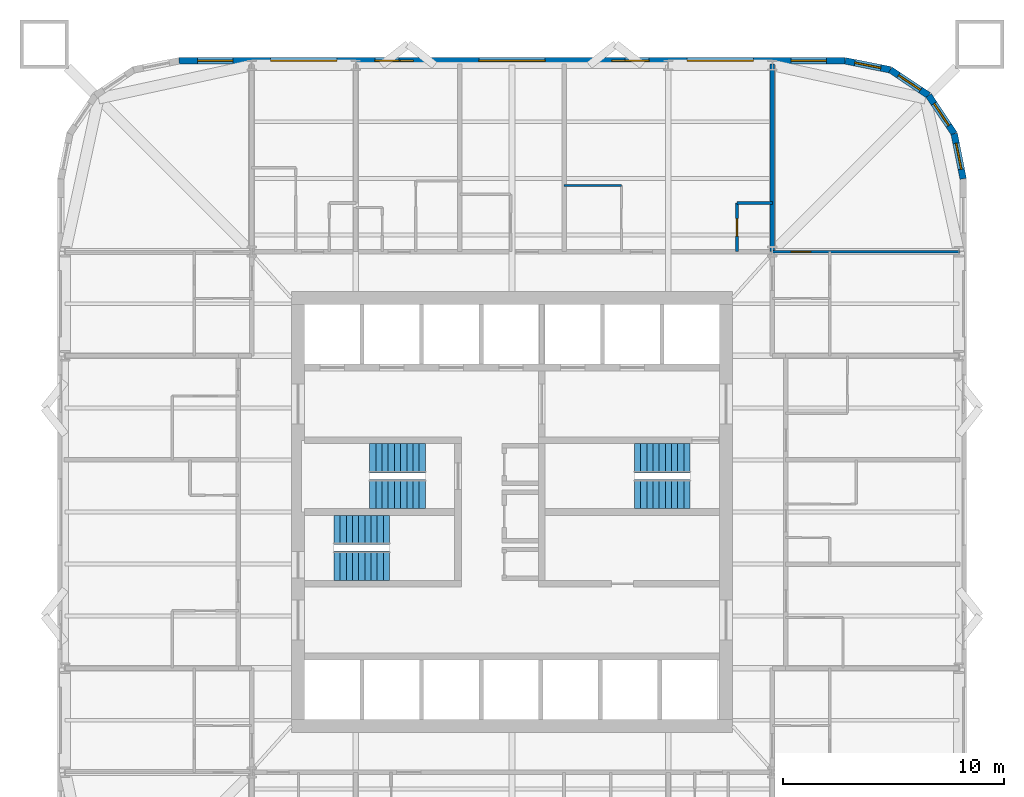
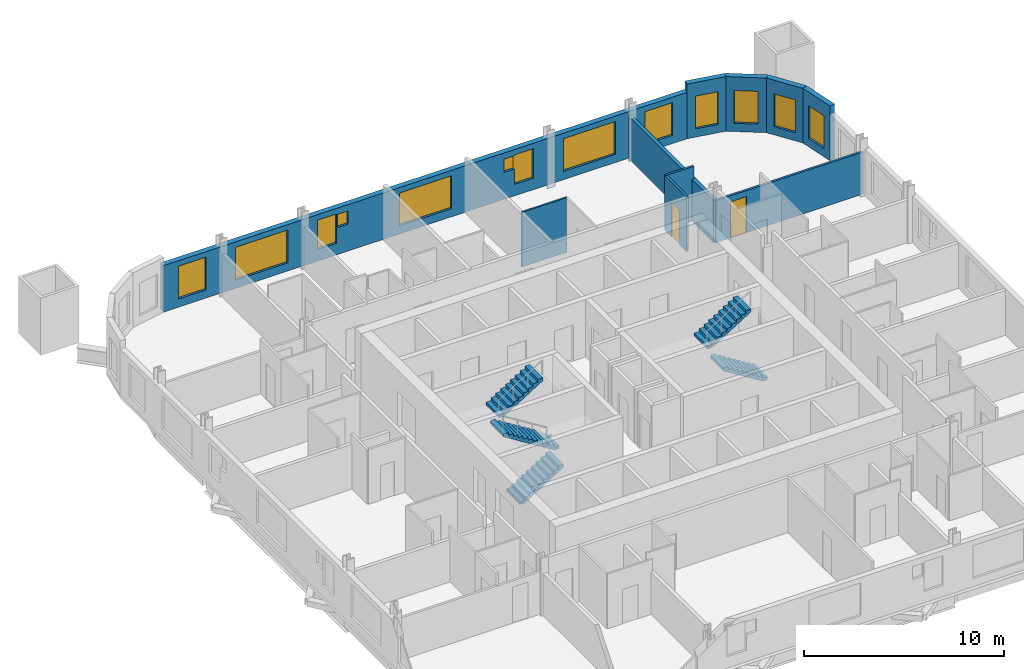
# One storey, part 8 of 9: 13 windows, 10 walls, 6 stair flights, 2 doors, 15 openings, 3 elements without a shape of their own.
"""IFC4 building model written with IfcOpenShell, lengths in metres."""

from ifc_helpers import new_model, si_unit, direction, frame, frame_2d, origin, place, context, subcontext, project, spatial, polyline, rectangle, outline, extrude, material, layer, layer_set, type_object, element, fill, aggregate, save


model = new_model("IFC4")

# Units and contexts
model_context = context("Model", 3, precision=1e-05, world=origin(), true_north=direction((0.0, 1.0)))
body_context = subcontext(model_context, "Body", "Model", "MODEL_VIEW")
ifc_project = project(units=[si_unit("LENGTHUNIT", "METRE"), si_unit("AREAUNIT", "SQUARE_METRE"), si_unit("VOLUMEUNIT", "CUBIC_METRE"), si_unit("PLANEANGLEUNIT", "RADIAN"), si_unit("MASSUNIT", "GRAM", prefix="KILO")], contexts=[model_context])

# Site, building, storey
site_placement = place(None, origin())
site = spatial("IfcSite", under=ifc_project, at=site_placement, CompositionType="ELEMENT")
building_placement = place(site_placement, origin())
building = spatial("IfcBuilding", under=site, at=building_placement, Name="Turquesa Mirador Hotel Tower", CompositionType="ELEMENT")
storey_placement = place(building_placement, frame((0.0, 0.0, 117.89990234375)))
storey = spatial("IfcBuildingStorey", under=building, at=storey_placement, Name="L31", CompositionType="ELEMENT", Elevation=117.89990234375)

# Wall
ifc_material_1 = material(Name="Gypsum board on steel studs", Category="steel")
ifc_layer_1 = layer(ifc_material_1, 0.10009765625)
ifc_layer_set_1 = layer_set([ifc_layer_1], Name="BATHROOM WALL 100")
wall_type_1 = type_object("IfcWallType", Name="BATHROOM WALL 100", PredefinedType="PARTITIONING", material=ifc_layer_set_1)
wall_1_placement = place(storey_placement, frame((57.360107421875, 59.800048828125, 0.0), z_axis=(0.0, 0.0, 1.0), x_axis=(1.0, 0.0, 0.0)))
element("IfcWall", 1, at=wall_1_placement, inside=storey, type_object=wall_type_1, Name="Partition L31 028", PredefinedType="PARTITIONING", context=body_context, shape_type="SweptSolid", body=[
    extrude(rectangle(XDim=2.599853515625, YDim=0.10009765625, at=frame_2d((1.2998046875, 0.0))), origin(), (0.0, 0.0, 1.0), 3.330078125),
])

# Wall, opening, window
ifc_material_2 = material(Name="Limestone cladding on concrete block", Category="masonry")
ifc_layer_2 = layer(ifc_material_2, 0.300048828125)
ifc_layer_set_2 = layer_set([ifc_layer_2], Name="FACADE WALL 300 STONE SCREEN")
wall_type_2 = type_object("IfcWallType", Name="FACADE WALL 300 STONE SCREEN", PredefinedType="SOLIDWALL", material=ifc_layer_set_2)
wall_2_placement = place(storey_placement, frame((75.449951171875, 60.10009765625, 0.0), z_axis=(0.0, 0.0, 1.0), x_axis=(-0.195081421501, 0.980787050784, 0.0)))
wall_2 = element("IfcWall", 2, at=wall_2_placement, inside=storey, type_object=wall_type_2, Name="Facade wall L31 05", PredefinedType="SOLIDWALL", context=body_context, shape_type="SweptSolid", body=[
    extrude(rectangle(XDim=2.08740234375, YDim=0.300048828125, at=frame_2d((1.043701171875, 0.0))), origin(), (0.0, 0.0, 1.0), 3.330078125),
])
opening_1_placement = place(wall_2_placement, frame((0.443603515625, 0.0, 0.5)))
opening_1 = element("IfcOpeningElement", 3, at=opening_1_placement, cuts=wall_2, Name="Opening WN4", PredefinedType="OPENING", context=body_context, shape_type="SweptSolid", body=[
    extrude(rectangle(XDim=1.199951171875, YDim=2.0, at=frame_2d((0.60009765625, 1.0))), frame((0.0, 0.159912109375, 0.0), z_axis=(0.0, -1.0, 0.0), x_axis=(1.0, 0.0, 0.0)), (0.0, 0.0, 1.0), 0.320068359375),
])
ifc_material_3 = material(Name="Ceramic-fritted laminated glass", Category="glass")
window_type_1 = type_object("IfcWindowType", Name="FRITTED CORNER WINDOW 1200X2000", PartitioningType="DOUBLE_PANEL_HORIZONTAL", PredefinedType="WINDOW", material=ifc_material_3)
window_1_placement = place(opening_1_placement, origin())
window_1 = element("IfcWindow", 4, at=window_1_placement, inside=storey, type_object=window_type_1, Name="Window L31", OverallHeight=2.0, OverallWidth=1.199951171875, PartitioningType="SINGLE_PANEL", PredefinedType="WINDOW", context=body_context, shape_type="SweptSolid", body=[
    extrude(rectangle(XDim=1.199951171875, YDim=2.0, at=frame_2d((0.60009765625, 1.0))), frame((0.0, 0.030029296875, 0.0), z_axis=(0.0, -1.0, 0.0), x_axis=(1.0, 0.0, 0.0)), (0.0, 0.0, 1.0), 0.06005859375),
])
fill(opening_1, window_1)

wall_3_placement = place(storey_placement, frame((75.042724609375, 62.1474609375, 0.0), z_axis=(0.0, 0.0, 1.0), x_axis=(-0.555563607591, 0.831474039234, 0.0)))
wall_3 = element("IfcWall", 5, at=wall_3_placement, inside=storey, type_object=wall_type_2, Name="Facade wall L31 06", PredefinedType="SOLIDWALL", context=body_context, shape_type="SweptSolid", body=[
    extrude(rectangle(XDim=2.08740234375, YDim=0.300048828125, at=frame_2d((1.043701171875, 0.0))), origin(), (0.0, 0.0, 1.0), 3.330078125),
])
opening_2_placement = place(wall_3_placement, frame((0.443603515625, 0.0, 0.5)))
opening_2 = element("IfcOpeningElement", 6, at=opening_2_placement, cuts=wall_3, Name="Opening WN4", PredefinedType="OPENING", context=body_context, shape_type="SweptSolid", body=[
    extrude(rectangle(XDim=1.199951171875, YDim=2.0, at=frame_2d((0.60009765625, 1.0))), frame((0.0, 0.159912109375, 0.0), z_axis=(0.0, -1.0, 0.0), x_axis=(1.0, 0.0, 0.0)), (0.0, 0.0, 1.0), 0.320068359375),
])
window_2_placement = place(opening_2_placement, origin())
window_2 = element("IfcWindow", 7, at=window_2_placement, inside=storey, type_object=window_type_1, Name="Window L31", OverallHeight=2.0, OverallWidth=1.199951171875, PartitioningType="SINGLE_PANEL", PredefinedType="WINDOW", context=body_context, shape_type="SweptSolid", body=[
    extrude(rectangle(XDim=1.199951171875, YDim=2.0, at=frame_2d((0.60009765625, 1.0))), frame((0.0, 0.030029296875, 0.0), z_axis=(0.0, -1.0, 0.0), x_axis=(1.0, 0.0, 0.0)), (0.0, 0.0, 1.0), 0.06005859375),
])
fill(opening_2, window_2)

wall_4_placement = place(storey_placement, frame((73.883056640625, 63.883056640625, 0.0), z_axis=(0.0, 0.0, 1.0), x_axis=(-0.831474039234, 0.555563607591, 0.0)))
wall_4 = element("IfcWall", 8, at=wall_4_placement, inside=storey, type_object=wall_type_2, Name="Facade wall L31 07", PredefinedType="SOLIDWALL", context=body_context, shape_type="SweptSolid", body=[
    extrude(rectangle(XDim=2.08740234375, YDim=0.300048828125, at=frame_2d((1.043701171875, 0.0))), origin(), (0.0, 0.0, 1.0), 3.330078125),
])
opening_3_placement = place(wall_4_placement, frame((0.443603515625, 0.0, 0.5)))
opening_3 = element("IfcOpeningElement", 9, at=opening_3_placement, cuts=wall_4, Name="Opening WN4", PredefinedType="OPENING", context=body_context, shape_type="SweptSolid", body=[
    extrude(rectangle(XDim=1.199951171875, YDim=2.0, at=frame_2d((0.60009765625, 1.0))), frame((0.0, 0.159912109375, 0.0), z_axis=(0.0, -1.0, 0.0), x_axis=(1.0, 0.0, 0.0)), (0.0, 0.0, 1.0), 0.320068359375),
])
window_3_placement = place(opening_3_placement, origin())
window_3 = element("IfcWindow", 10, at=window_3_placement, inside=storey, type_object=window_type_1, Name="Window L31", OverallHeight=2.0, OverallWidth=1.199951171875, PartitioningType="SINGLE_PANEL", PredefinedType="WINDOW", context=body_context, shape_type="SweptSolid", body=[
    extrude(rectangle(XDim=1.199951171875, YDim=2.0, at=frame_2d((0.60009765625, 1.0))), frame((0.0, 0.030029296875, 0.0), z_axis=(0.0, -1.0, 0.0), x_axis=(1.0, 0.0, 0.0)), (0.0, 0.0, 1.0), 0.06005859375),
])
fill(opening_3, window_3)

wall_5_placement = place(storey_placement, frame((72.1474609375, 65.042724609375, 0.0), z_axis=(0.0, 0.0, 1.0), x_axis=(-0.980787050784, 0.195081421501, 0.0)))
wall_5 = element("IfcWall", 11, at=wall_5_placement, inside=storey, type_object=wall_type_2, Name="Facade wall L31 08", PredefinedType="SOLIDWALL", context=body_context, shape_type="SweptSolid", body=[
    extrude(rectangle(XDim=2.08740234375, YDim=0.300048828125, at=frame_2d((1.043701171875, 0.0))), origin(), (0.0, 0.0, 1.0), 3.330078125),
])
opening_4_placement = place(wall_5_placement, frame((0.443603515625, 0.0, 0.5)))
opening_4 = element("IfcOpeningElement", 12, at=opening_4_placement, cuts=wall_5, Name="Opening WN4", PredefinedType="OPENING", context=body_context, shape_type="SweptSolid", body=[
    extrude(rectangle(XDim=1.199951171875, YDim=2.0, at=frame_2d((0.60009765625, 1.0))), frame((0.0, 0.159912109375, 0.0), z_axis=(0.0, -1.0, 0.0), x_axis=(1.0, 0.0, 0.0)), (0.0, 0.0, 1.0), 0.320068359375),
])
window_4_placement = place(opening_4_placement, origin())
window_4 = element("IfcWindow", 13, at=window_4_placement, inside=storey, type_object=window_type_1, Name="Window L31", OverallHeight=2.0, OverallWidth=1.199951171875, PartitioningType="SINGLE_PANEL", PredefinedType="WINDOW", context=body_context, shape_type="SweptSolid", body=[
    extrude(rectangle(XDim=1.199951171875, YDim=2.0, at=frame_2d((0.60009765625, 1.0))), frame((0.0, 0.030029296875, 0.0), z_axis=(0.0, -1.0, 0.0), x_axis=(1.0, 0.0, 0.0)), (0.0, 0.0, 1.0), 0.06005859375),
])
fill(opening_4, window_4)

# Wall, openings, windows
wall_6_placement = place(storey_placement, frame((70.10009765625, 65.449951171875, 0.0), z_axis=(0.0, 0.0, 1.0), x_axis=(-1.0, 0.0, 0.0)))
wall_6 = element("IfcWall", 14, at=wall_6_placement, inside=storey, type_object=wall_type_2, Name="Facade wall L31 09", PredefinedType="SOLIDWALL", context=body_context, shape_type="SweptSolid", body=[
    extrude(rectangle(XDim=30.2001953125, YDim=0.300048828125, at=frame_2d((15.10009765625, 0.0))), origin(), (0.0, 0.0, 1.0), 2.830078125),
])
opening_5_placement = place(wall_6_placement, frame((0.85009765625, 0.0, 0.5)))
opening_5 = element("IfcOpeningElement", 15, at=opening_5_placement, cuts=wall_6, Name="Opening WN3", PredefinedType="OPENING", context=body_context, shape_type="SweptSolid", body=[
    extrude(rectangle(XDim=1.60009765625, YDim=2.0, at=frame_2d((0.800048828125, 1.0))), frame((0.0, 0.159912109375, 0.0), z_axis=(0.0, -1.0, 0.0), x_axis=(1.0, 0.0, 0.0)), (0.0, 0.0, 1.0), 0.320068359375),
])
opening_6_placement = place(wall_6_placement, frame((4.159912109375, 0.0, 0.5)))
opening_6 = element("IfcOpeningElement", 16, at=opening_6_placement, cuts=wall_6, Name="Opening WN1", PredefinedType="OPENING", context=body_context, shape_type="SweptSolid", body=[
    extrude(rectangle(XDim=3.0, YDim=2.0, at=frame_2d((1.5, 1.0))), frame((0.0, 0.159912109375, 0.0), z_axis=(0.0, -1.0, 0.0), x_axis=(1.0, 0.0, 0.0)), (0.0, 0.0, 1.0), 0.320068359375),
])
opening_7_placement = place(wall_6_placement, frame((8.8798828125, 0.0, 0.699951171875)))
opening_7 = element("IfcOpeningElement", 17, at=opening_7_placement, cuts=wall_6, Name="Opening WN38", PredefinedType="OPENING", context=body_context, shape_type="SweptSolid", body=[
    extrude(rectangle(XDim=1.10009765625, YDim=1.800048828125, at=frame_2d((0.550048828125, 0.89990234375))), frame((0.0, 0.159912109375, 0.0), z_axis=(0.0, -1.0, 0.0), x_axis=(1.0, 0.0, 0.0)), (0.0, 0.0, 1.0), 0.320068359375),
])
opening_8_placement = place(wall_6_placement, frame((13.60009765625, 0.0, 0.5)))
opening_8 = element("IfcOpeningElement", 18, at=opening_8_placement, cuts=wall_6, Name="Opening WN1", PredefinedType="OPENING", context=body_context, shape_type="SweptSolid", body=[
    extrude(rectangle(XDim=3.0, YDim=2.0, at=frame_2d((1.5, 1.0))), frame((0.0, 0.159912109375, 0.0), z_axis=(0.0, -1.0, 0.0), x_axis=(1.0, 0.0, 0.0)), (0.0, 0.0, 1.0), 0.320068359375),
])
opening_9_placement = place(wall_6_placement, frame((20.219970703125, 0.0, 0.699951171875)))
opening_9 = element("IfcOpeningElement", 19, at=opening_9_placement, cuts=wall_6, Name="Opening WN38", PredefinedType="OPENING", context=body_context, shape_type="SweptSolid", body=[
    extrude(rectangle(XDim=1.10009765625, YDim=1.800048828125, at=frame_2d((0.550048828125, 0.89990234375))), frame((0.0, 0.159912109375, 0.0), z_axis=(0.0, -1.0, 0.0), x_axis=(1.0, 0.0, 0.0)), (0.0, 0.0, 1.0), 0.320068359375),
])
opening_10_placement = place(wall_6_placement, frame((23.0400390625, 0.0, 0.5)))
opening_10 = element("IfcOpeningElement", 20, at=opening_10_placement, cuts=wall_6, Name="Opening WN1", PredefinedType="OPENING", context=body_context, shape_type="SweptSolid", body=[
    extrude(rectangle(XDim=3.0, YDim=2.0, at=frame_2d((1.5, 1.0))), frame((0.0, 0.159912109375, 0.0), z_axis=(0.0, -1.0, 0.0), x_axis=(1.0, 0.0, 0.0)), (0.0, 0.0, 1.0), 0.320068359375),
])
opening_11_placement = place(wall_6_placement, frame((27.75, 0.0, 0.5)))
opening_11 = element("IfcOpeningElement", 21, at=opening_11_placement, cuts=wall_6, Name="Opening WN3", PredefinedType="OPENING", context=body_context, shape_type="SweptSolid", body=[
    extrude(rectangle(XDim=1.60009765625, YDim=2.0, at=frame_2d((0.800048828125, 1.0))), frame((0.0, 0.159912109375, 0.0), z_axis=(0.0, -1.0, 0.0), x_axis=(1.0, 0.0, 0.0)), (0.0, 0.0, 1.0), 0.320068359375),
])
opening_12_placement = place(wall_6_placement, frame((9.97998046875, 0.0, 1.64990234375)))
opening_12 = element("IfcOpeningElement", 22, at=opening_12_placement, cuts=wall_6, Name="Opening WN28", PredefinedType="OPENING", context=body_context, shape_type="SweptSolid", body=[
    extrude(rectangle(XDim=0.60009765625, YDim=0.800048828125, at=frame_2d((0.300048828125, 0.39990234375))), frame((0.0, 0.159912109375, 0.0), z_axis=(0.0, -1.0, 0.0), x_axis=(1.0, 0.0, 0.0)), (0.0, 0.0, 1.0), 0.320068359375),
])
opening_13_placement = place(wall_6_placement, frame((19.570068359375, 0.0, 1.64990234375)))
opening_13 = element("IfcOpeningElement", 23, at=opening_13_placement, cuts=wall_6, Name="Opening WN28", PredefinedType="OPENING", context=body_context, shape_type="SweptSolid", body=[
    extrude(rectangle(XDim=0.60009765625, YDim=0.800048828125, at=frame_2d((0.300048828125, 0.39990234375))), frame((0.0, 0.159912109375, 0.0), z_axis=(0.0, -1.0, 0.0), x_axis=(1.0, 0.0, 0.0)), (0.0, 0.0, 1.0), 0.320068359375),
])
ifc_material_4 = material(Name="Ceramic-fritted laminated glass", Category="glass")
window_type_2 = type_object("IfcWindowType", Name="FRITTED WINDOW 1100X1800", PartitioningType="DOUBLE_PANEL_HORIZONTAL", PredefinedType="WINDOW", material=ifc_material_4)
window_5_placement = place(opening_7_placement, origin())
window_5 = element("IfcWindow", 24, at=window_5_placement, inside=storey, type_object=window_type_2, Name="Window L31", OverallHeight=1.800048828125, OverallWidth=1.10009765625, PartitioningType="SINGLE_PANEL", PredefinedType="WINDOW", context=body_context, shape_type="SweptSolid", body=[
    extrude(rectangle(XDim=1.10009765625, YDim=1.800048828125, at=frame_2d((0.550048828125, 0.89990234375))), frame((0.0, 0.030029296875, 0.0), z_axis=(0.0, -1.0, 0.0), x_axis=(1.0, 0.0, 0.0)), (0.0, 0.0, 1.0), 0.06005859375),
])
fill(opening_7, window_5)
window_6_placement = place(opening_9_placement, origin())
window_6 = element("IfcWindow", 25, at=window_6_placement, inside=storey, type_object=window_type_2, Name="Window L31", OverallHeight=1.800048828125, OverallWidth=1.10009765625, PartitioningType="SINGLE_PANEL", PredefinedType="WINDOW", context=body_context, shape_type="SweptSolid", body=[
    extrude(rectangle(XDim=1.10009765625, YDim=1.800048828125, at=frame_2d((0.550048828125, 0.89990234375))), frame((0.0, 0.030029296875, 0.0), z_axis=(0.0, -1.0, 0.0), x_axis=(1.0, 0.0, 0.0)), (0.0, 0.0, 1.0), 0.06005859375),
])
fill(opening_9, window_6)
ifc_material_5 = material(Name="Ceramic-fritted laminated glass", Category="glass")
window_type_3 = type_object("IfcWindowType", Name="FRITTED WINDOW 1600X2000", PartitioningType="DOUBLE_PANEL_HORIZONTAL", PredefinedType="WINDOW", material=ifc_material_5)
window_7_placement = place(opening_5_placement, origin())
window_7 = element("IfcWindow", 26, at=window_7_placement, inside=storey, type_object=window_type_3, Name="Window L31", OverallHeight=2.0, OverallWidth=1.60009765625, PartitioningType="SINGLE_PANEL", PredefinedType="WINDOW", context=body_context, shape_type="SweptSolid", body=[
    extrude(rectangle(XDim=1.60009765625, YDim=2.0, at=frame_2d((0.800048828125, 1.0))), frame((0.0, 0.030029296875, 0.0), z_axis=(0.0, -1.0, 0.0), x_axis=(1.0, 0.0, 0.0)), (0.0, 0.0, 1.0), 0.06005859375),
])
fill(opening_5, window_7)
window_8_placement = place(opening_11_placement, origin())
window_8 = element("IfcWindow", 27, at=window_8_placement, inside=storey, type_object=window_type_3, Name="Window L31", OverallHeight=2.0, OverallWidth=1.60009765625, PartitioningType="SINGLE_PANEL", PredefinedType="WINDOW", context=body_context, shape_type="SweptSolid", body=[
    extrude(rectangle(XDim=1.60009765625, YDim=2.0, at=frame_2d((0.800048828125, 1.0))), frame((0.0, 0.030029296875, 0.0), z_axis=(0.0, -1.0, 0.0), x_axis=(1.0, 0.0, 0.0)), (0.0, 0.0, 1.0), 0.06005859375),
])
fill(opening_11, window_8)
ifc_material_6 = material(Name="Ceramic-fritted laminated glass", Category="glass")
window_type_4 = type_object("IfcWindowType", Name="FRITTED WINDOW 3000X2000", PartitioningType="DOUBLE_PANEL_HORIZONTAL", PredefinedType="WINDOW", material=ifc_material_6)
window_9_placement = place(opening_6_placement, origin())
window_9 = element("IfcWindow", 28, at=window_9_placement, inside=storey, type_object=window_type_4, Name="Window L31", OverallHeight=2.0, OverallWidth=3.0, PartitioningType="SINGLE_PANEL", PredefinedType="WINDOW", context=body_context, shape_type="SweptSolid", body=[
    extrude(rectangle(XDim=3.0, YDim=2.0, at=frame_2d((1.5, 1.0))), frame((0.0, 0.030029296875, 0.0), z_axis=(0.0, -1.0, 0.0), x_axis=(1.0, 0.0, 0.0)), (0.0, 0.0, 1.0), 0.06005859375),
])
fill(opening_6, window_9)
window_10_placement = place(opening_8_placement, origin())
window_10 = element("IfcWindow", 29, at=window_10_placement, inside=storey, type_object=window_type_4, Name="Window L31", OverallHeight=2.0, OverallWidth=3.0, PartitioningType="SINGLE_PANEL", PredefinedType="WINDOW", context=body_context, shape_type="SweptSolid", body=[
    extrude(rectangle(XDim=3.0, YDim=2.0, at=frame_2d((1.5, 1.0))), frame((0.0, 0.030029296875, 0.0), z_axis=(0.0, -1.0, 0.0), x_axis=(1.0, 0.0, 0.0)), (0.0, 0.0, 1.0), 0.06005859375),
])
fill(opening_8, window_10)
window_11_placement = place(opening_10_placement, origin())
window_11 = element("IfcWindow", 30, at=window_11_placement, inside=storey, type_object=window_type_4, Name="Window L31", OverallHeight=2.0, OverallWidth=3.0, PartitioningType="SINGLE_PANEL", PredefinedType="WINDOW", context=body_context, shape_type="SweptSolid", body=[
    extrude(rectangle(XDim=3.0, YDim=2.0, at=frame_2d((1.5, 1.0))), frame((0.0, 0.030029296875, 0.0), z_axis=(0.0, -1.0, 0.0), x_axis=(1.0, 0.0, 0.0)), (0.0, 0.0, 1.0), 0.06005859375),
])
fill(opening_10, window_11)
ifc_material_7 = material(Name="Ceramic-fritted laminated glass", Category="glass")
window_type_5 = type_object("IfcWindowType", Name="FRITTED WINDOW 600X800", PartitioningType="DOUBLE_PANEL_HORIZONTAL", PredefinedType="WINDOW", material=ifc_material_7)
window_12_placement = place(opening_12_placement, origin())
window_12 = element("IfcWindow", 31, at=window_12_placement, inside=storey, type_object=window_type_5, Name="Window L31", OverallHeight=0.800048828125, OverallWidth=0.60009765625, PartitioningType="SINGLE_PANEL", PredefinedType="WINDOW", context=body_context, shape_type="SweptSolid", body=[
    extrude(rectangle(XDim=0.60009765625, YDim=0.800048828125, at=frame_2d((0.300048828125, 0.39990234375))), frame((0.0, 0.030029296875, 0.0), z_axis=(0.0, -1.0, 0.0), x_axis=(1.0, 0.0, 0.0)), (0.0, 0.0, 1.0), 0.06005859375),
])
fill(opening_12, window_12)
window_13_placement = place(opening_13_placement, origin())
window_13 = element("IfcWindow", 32, at=window_13_placement, inside=storey, type_object=window_type_5, Name="Window L31", OverallHeight=0.800048828125, OverallWidth=0.60009765625, PartitioningType="SINGLE_PANEL", PredefinedType="WINDOW", context=body_context, shape_type="SweptSolid", body=[
    extrude(rectangle(XDim=0.60009765625, YDim=0.800048828125, at=frame_2d((0.300048828125, 0.39990234375))), frame((0.0, 0.030029296875, 0.0), z_axis=(0.0, -1.0, 0.0), x_axis=(1.0, 0.0, 0.0)), (0.0, 0.0, 1.0), 0.06005859375),
])
fill(opening_13, window_13)

# Wall
ifc_material_8 = material(Name="Fire-rated gypsum board on steel studs", Category="steel")
ifc_layer_3 = layer(ifc_material_8, 0.199951171875)
ifc_layer_set_3 = layer_set([ifc_layer_3], Name="PARTY WALL 200")
wall_type_3 = type_object("IfcWallType", Name="PARTY WALL 200", PredefinedType="PARTITIONING", material=ifc_layer_set_3)
wall_7_placement = place(storey_placement, frame((66.800048828125, 56.800048828125, 0.0), z_axis=(0.0, 0.0, 1.0), x_axis=(0.0, 1.0, 0.0)))
element("IfcWall", 33, at=wall_7_placement, inside=storey, type_object=wall_type_3, Name="Partition L31 068", PredefinedType="PARTITIONING", context=body_context, shape_type="SweptSolid", body=[
    extrude(rectangle(XDim=8.5, YDim=0.199951171875, at=frame_2d((4.25, 0.0))), origin(), (0.0, 0.0, 1.0), 2.5732421875),
])

# Wall, opening, door
ifc_material_9 = material(Name="Acoustic gypsum board on steel studs", Category="steel")
ifc_layer_4 = layer(ifc_material_9, 0.125)
ifc_layer_set_4 = layer_set([ifc_layer_4], Name="SUITE PARTITION 125")
wall_type_4 = type_object("IfcWallType", Name="SUITE PARTITION 125", PredefinedType="PARTITIONING", material=ifc_layer_set_4)
wall_8_placement = place(storey_placement, frame((66.800048828125, 56.800048828125, 0.0), z_axis=(0.0, 0.0, 1.0), x_axis=(1.0, 0.0, 0.0)))
wall_8 = element("IfcWall", 34, at=wall_8_placement, inside=storey, type_object=wall_type_4, Name="Partition L31 023", PredefinedType="PARTITIONING", context=body_context, shape_type="SweptSolid", body=[
    extrude(rectangle(XDim=8.5, YDim=0.125, at=frame_2d((4.25, 0.0))), origin(), (0.0, 0.0, 1.0), 2.5732421875),
])
opening_14_placement = place(wall_8_placement, frame((0.85009765625, 0.0, 0.0)))
opening_14 = element("IfcOpeningElement", 35, at=opening_14_placement, cuts=wall_8, Name="Opening D17", PredefinedType="OPENING", context=body_context, shape_type="SweptSolid", body=[
    extrude(rectangle(XDim=0.89990234375, YDim=2.199951171875, at=frame_2d((0.449951171875, 1.10009765625))), frame((0.0, 0.072509765625, 0.0), z_axis=(0.0, -1.0, 0.0), x_axis=(1.0, 0.0, 0.0)), (0.0, 0.0, 1.0), 0.14501953125),
])
ifc_material_10 = material(Name="Timber veneered door", Category="wood")
door_type_1 = type_object("IfcDoorType", Name="DOOR 900X2200 SUITE INTERNAL", OperationType="SINGLE_SWING_LEFT", PredefinedType="DOOR", material=ifc_material_10)
door_1_placement = place(opening_14_placement, origin())
door_1 = element("IfcDoor", 36, at=door_1_placement, inside=storey, type_object=door_type_1, Name="Door 3113", OperationType="SINGLE_SWING_LEFT", OverallHeight=2.199951171875, OverallWidth=0.89990234375, PredefinedType="DOOR", context=body_context, shape_type="SweptSolid", body=[
    extrude(rectangle(XDim=0.89990234375, YDim=2.199951171875, at=frame_2d((0.449951171875, 1.10009765625))), frame((0.0, 0.02490234375, 0.0), z_axis=(0.0, -1.0, 0.0), x_axis=(1.0, 0.0, 0.0)), (0.0, 0.0, 1.0), 0.050048828125),
])
fill(opening_14, door_1)

# Wall
wall_9_placement = place(storey_placement, frame((65.199951171875, 59.0, 0.0), z_axis=(0.0, 0.0, 1.0), x_axis=(1.0, 0.0, 0.0)))
element("IfcWall", 37, at=wall_9_placement, inside=storey, type_object=wall_type_4, Name="Partition L31 026", PredefinedType="PARTITIONING", context=body_context, shape_type="SweptSolid", body=[
    extrude(rectangle(XDim=1.60009765625, YDim=0.125, at=frame_2d((0.800048828125, 0.0))), origin(), (0.0, 0.0, 1.0), 3.330078125),
])

# Wall, opening, door
wall_10_placement = place(storey_placement, frame((65.199951171875, 56.800048828125, 0.0), z_axis=(0.0, 0.0, 1.0), x_axis=(0.0, 1.0, 0.0)))
wall_10 = element("IfcWall", 38, at=wall_10_placement, inside=storey, type_object=wall_type_4, Name="Partition L31 064", PredefinedType="PARTITIONING", context=body_context, shape_type="SweptSolid", body=[
    extrude(rectangle(XDim=2.199951171875, YDim=0.125, at=frame_2d((1.10009765625, 0.0))), origin(), (0.0, 0.0, 1.0), 3.330078125),
])
opening_15_placement = place(wall_10_placement, frame((0.699951171875, 0.0, 0.0)))
opening_15 = element("IfcOpeningElement", 39, at=opening_15_placement, cuts=wall_10, Name="Opening D20", PredefinedType="OPENING", context=body_context, shape_type="SweptSolid", body=[
    extrude(rectangle(XDim=0.800048828125, YDim=2.10009765625, at=frame_2d((0.39990234375, 1.050048828125))), frame((0.0, 0.072509765625, 0.0), z_axis=(0.0, -1.0, 0.0), x_axis=(1.0, 0.0, 0.0)), (0.0, 0.0, 1.0), 0.14501953125),
])
ifc_material_11 = material(Name="Timber veneered sliding door", Category="wood")
door_type_2 = type_object("IfcDoorType", Name="DOOR 800X2100 WARDROBE", OperationType="SLIDING_TO_LEFT", PredefinedType="DOOR", material=ifc_material_11)
door_2_placement = place(opening_15_placement, origin())
door_2 = element("IfcDoor", 40, at=door_2_placement, inside=storey, type_object=door_type_2, Name="Door 3104W", OperationType="SLIDING_TO_LEFT", OverallHeight=2.10009765625, OverallWidth=0.800048828125, PredefinedType="DOOR", context=body_context, shape_type="SweptSolid", body=[
    extrude(rectangle(XDim=0.800048828125, YDim=2.10009765625, at=frame_2d((0.39990234375, 1.050048828125))), frame((0.0, 0.02490234375, 0.0), z_axis=(0.0, -1.0, 0.0), x_axis=(1.0, 0.0, 0.0)), (0.0, 0.0, 1.0), 0.050048828125),
])
fill(opening_15, door_2)

# Stair, stair flights
ifc_material_12 = material(Name="Concrete C35/45", Category="concrete")
stair_type = type_object("IfcStairType", Name="ESCAPE STAIR CORE", PredefinedType="HALF_TURN_STAIR", material=ifc_material_12)
stair_1_placement = place(storey_placement, origin())
stair_1 = element("IfcStair", 41, at=stair_1_placement, inside=storey, type_object=stair_type, Name="Stair ST1 L31 to L32", PredefinedType="HALF_TURN_STAIR")
ifc_material_13 = material(Name="Concrete C35/45 precast flight", Category="concrete")
stair_flight_type = type_object("IfcStairFlightType", Name="STAIR FLIGHT 1330", PredefinedType="STRAIGHT", material=ifc_material_13)
stair_flight_1_placement = place(storey_placement, frame((51.070068359375, 45.81494140625, 0.0), z_axis=(0.0, 0.0, 1.0), x_axis=(-1.0, 0.0, 0.0)))
stair_flight_1 = element("IfcStairFlight", 42, at=stair_flight_1_placement, type_object=stair_flight_type, Name="ST1 flight 1", NumberOfRisers=10, NumberOfTreads=9, PredefinedType="STRAIGHT", RiserHeight=0.175, TreadLength=0.28, context=body_context, shape_type="SweptSolid", body=[
    extrude(outline(polyline([(0.0, 0.0), (0.0, 0.175048828125), (0.280029296875, 0.175048828125), (0.280029296875, 0.35009765625), (0.56005859375, 0.35009765625), (0.56005859375, 0.52490234375), (0.840087890625, 0.52490234375), (0.840087890625, 0.699951171875), (1.1201171875, 0.699951171875), (1.1201171875, 0.875), (1.39990234375, 0.875), (1.39990234375, 1.050048828125), (1.679931640625, 1.050048828125), (1.679931640625, 1.22509765625), (1.9599609375, 1.22509765625), (1.9599609375, 1.39990234375), (2.239990234375, 1.39990234375), (2.239990234375, 1.574951171875), (2.52001953125, 1.574951171875), (2.52001953125, 1.75), (2.52001953125, 1.398193359375), (0.28271484375, 0.0), (0.0, 0.0)])), frame((0.0, 0.6650390625, 0.0), z_axis=(0.0, -1.0, 0.0), x_axis=(1.0, 0.0, 0.0)), (0.0, 0.0, 1.0), 1.330078125),
])
stair_flight_2_placement = place(storey_placement, frame((48.550048828125, 47.43505859375, 1.75), z_axis=(0.0, 0.0, 1.0), x_axis=(1.0, 0.0, 0.0)))
stair_flight_2 = element("IfcStairFlight", 43, at=stair_flight_2_placement, type_object=stair_flight_type, Name="ST1 flight 2", NumberOfRisers=10, NumberOfTreads=9, PredefinedType="STRAIGHT", RiserHeight=0.175, TreadLength=0.28, context=body_context, shape_type="SweptSolid", body=[
    extrude(outline(polyline([(0.0, 0.0), (0.0, 0.175048828125), (0.280029296875, 0.175048828125), (0.280029296875, 0.35009765625), (0.56005859375, 0.35009765625), (0.56005859375, 0.52490234375), (0.840087890625, 0.52490234375), (0.840087890625, 0.699951171875), (1.1201171875, 0.699951171875), (1.1201171875, 0.875), (1.39990234375, 0.875), (1.39990234375, 1.050048828125), (1.679931640625, 1.050048828125), (1.679931640625, 1.22509765625), (1.9599609375, 1.22509765625), (1.9599609375, 1.39990234375), (2.239990234375, 1.39990234375), (2.239990234375, 1.574951171875), (2.52001953125, 1.574951171875), (2.52001953125, 1.75), (2.52001953125, 1.398193359375), (0.28271484375, 0.0), (0.0, 0.0)])), frame((0.0, 0.6650390625, 0.0), z_axis=(0.0, -1.0, 0.0), x_axis=(1.0, 0.0, 0.0)), (0.0, 0.0, 1.0), 1.330078125),
])
aggregate(stair_1, [stair_flight_1, stair_flight_2])

stair_2_placement = place(storey_placement, origin())
stair_2 = element("IfcStair", 44, at=stair_2_placement, inside=storey, type_object=stair_type, Name="Stair ST2 L31 to L32", PredefinedType="HALF_TURN_STAIR")
stair_flight_3_placement = place(storey_placement, frame((46.929931640625, 42.56494140625, 0.0), z_axis=(0.0, 0.0, 1.0), x_axis=(1.0, 0.0, 0.0)))
stair_flight_3 = element("IfcStairFlight", 45, at=stair_flight_3_placement, type_object=stair_flight_type, Name="ST2 flight 1", NumberOfRisers=10, NumberOfTreads=9, PredefinedType="STRAIGHT", RiserHeight=0.175, TreadLength=0.28, context=body_context, shape_type="SweptSolid", body=[
    extrude(outline(polyline([(0.0, 0.0), (0.0, 0.175048828125), (0.280029296875, 0.175048828125), (0.280029296875, 0.35009765625), (0.56005859375, 0.35009765625), (0.56005859375, 0.52490234375), (0.840087890625, 0.52490234375), (0.840087890625, 0.699951171875), (1.1201171875, 0.699951171875), (1.1201171875, 0.875), (1.39990234375, 0.875), (1.39990234375, 1.050048828125), (1.679931640625, 1.050048828125), (1.679931640625, 1.22509765625), (1.9599609375, 1.22509765625), (1.9599609375, 1.39990234375), (2.239990234375, 1.39990234375), (2.239990234375, 1.574951171875), (2.52001953125, 1.574951171875), (2.52001953125, 1.75), (2.52001953125, 1.398193359375), (0.28271484375, 0.0), (0.0, 0.0)])), frame((0.0, 0.6650390625, 0.0), z_axis=(0.0, -1.0, 0.0), x_axis=(1.0, 0.0, 0.0)), (0.0, 0.0, 1.0), 1.330078125),
])
stair_flight_4_placement = place(storey_placement, frame((49.449951171875, 44.18505859375, 1.75), z_axis=(0.0, 0.0, 1.0), x_axis=(-1.0, 0.0, 0.0)))
stair_flight_4 = element("IfcStairFlight", 46, at=stair_flight_4_placement, type_object=stair_flight_type, Name="ST2 flight 2", NumberOfRisers=10, NumberOfTreads=9, PredefinedType="STRAIGHT", RiserHeight=0.175, TreadLength=0.28, context=body_context, shape_type="SweptSolid", body=[
    extrude(outline(polyline([(0.0, 0.0), (0.0, 0.175048828125), (0.280029296875, 0.175048828125), (0.280029296875, 0.35009765625), (0.56005859375, 0.35009765625), (0.56005859375, 0.52490234375), (0.840087890625, 0.52490234375), (0.840087890625, 0.699951171875), (1.1201171875, 0.699951171875), (1.1201171875, 0.875), (1.39990234375, 0.875), (1.39990234375, 1.050048828125), (1.679931640625, 1.050048828125), (1.679931640625, 1.22509765625), (1.9599609375, 1.22509765625), (1.9599609375, 1.39990234375), (2.239990234375, 1.39990234375), (2.239990234375, 1.574951171875), (2.52001953125, 1.574951171875), (2.52001953125, 1.75), (2.52001953125, 1.398193359375), (0.28271484375, 0.0), (0.0, 0.0)])), frame((0.0, 0.6650390625, 0.0), z_axis=(0.0, -1.0, 0.0), x_axis=(1.0, 0.0, 0.0)), (0.0, 0.0, 1.0), 1.330078125),
])
aggregate(stair_2, [stair_flight_3, stair_flight_4])

stair_3_placement = place(storey_placement, origin())
stair_3 = element("IfcStair", 47, at=stair_3_placement, inside=storey, type_object=stair_type, Name="Stair ST3 L31 to L32", PredefinedType="HALF_TURN_STAIR")
stair_flight_5_placement = place(storey_placement, frame((63.070068359375, 45.81494140625, 0.0), z_axis=(0.0, 0.0, 1.0), x_axis=(-1.0, 0.0, 0.0)))
stair_flight_5 = element("IfcStairFlight", 48, at=stair_flight_5_placement, type_object=stair_flight_type, Name="ST3 flight 1", NumberOfRisers=10, NumberOfTreads=9, PredefinedType="STRAIGHT", RiserHeight=0.175, TreadLength=0.28, context=body_context, shape_type="SweptSolid", body=[
    extrude(outline(polyline([(0.0, 0.0), (0.0, 0.175048828125), (0.280029296875, 0.175048828125), (0.280029296875, 0.35009765625), (0.56005859375, 0.35009765625), (0.56005859375, 0.52490234375), (0.840087890625, 0.52490234375), (0.840087890625, 0.699951171875), (1.1201171875, 0.699951171875), (1.1201171875, 0.875), (1.39990234375, 0.875), (1.39990234375, 1.050048828125), (1.679931640625, 1.050048828125), (1.679931640625, 1.22509765625), (1.9599609375, 1.22509765625), (1.9599609375, 1.39990234375), (2.239990234375, 1.39990234375), (2.239990234375, 1.574951171875), (2.52001953125, 1.574951171875), (2.52001953125, 1.75), (2.52001953125, 1.398193359375), (0.28271484375, 0.0), (0.0, 0.0)])), frame((0.0, 0.6650390625, 0.0), z_axis=(0.0, -1.0, 0.0), x_axis=(1.0, 0.0, 0.0)), (0.0, 0.0, 1.0), 1.330078125),
])
stair_flight_6_placement = place(storey_placement, frame((60.550048828125, 47.43505859375, 1.75), z_axis=(0.0, 0.0, 1.0), x_axis=(1.0, 0.0, 0.0)))
stair_flight_6 = element("IfcStairFlight", 49, at=stair_flight_6_placement, type_object=stair_flight_type, Name="ST3 flight 2", NumberOfRisers=10, NumberOfTreads=9, PredefinedType="STRAIGHT", RiserHeight=0.175, TreadLength=0.28, context=body_context, shape_type="SweptSolid", body=[
    extrude(outline(polyline([(0.0, 0.0), (0.0, 0.175048828125), (0.280029296875, 0.175048828125), (0.280029296875, 0.35009765625), (0.56005859375, 0.35009765625), (0.56005859375, 0.52490234375), (0.840087890625, 0.52490234375), (0.840087890625, 0.699951171875), (1.1201171875, 0.699951171875), (1.1201171875, 0.875), (1.39990234375, 0.875), (1.39990234375, 1.050048828125), (1.679931640625, 1.050048828125), (1.679931640625, 1.22509765625), (1.9599609375, 1.22509765625), (1.9599609375, 1.39990234375), (2.239990234375, 1.39990234375), (2.239990234375, 1.574951171875), (2.52001953125, 1.574951171875), (2.52001953125, 1.75), (2.52001953125, 1.398193359375), (0.28271484375, 0.0), (0.0, 0.0)])), frame((0.0, 0.6650390625, 0.0), z_axis=(0.0, -1.0, 0.0), x_axis=(1.0, 0.0, 0.0)), (0.0, 0.0, 1.0), 1.330078125),
])
aggregate(stair_3, [stair_flight_5, stair_flight_6])

save(model, "model.ifc")
